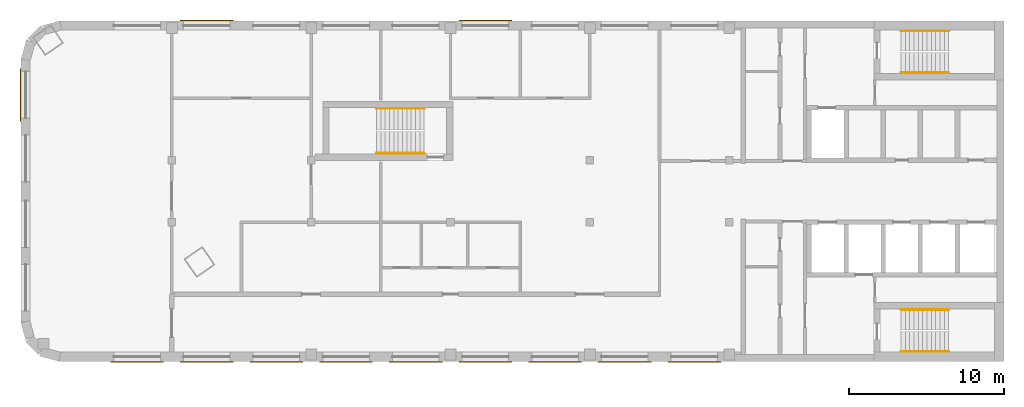
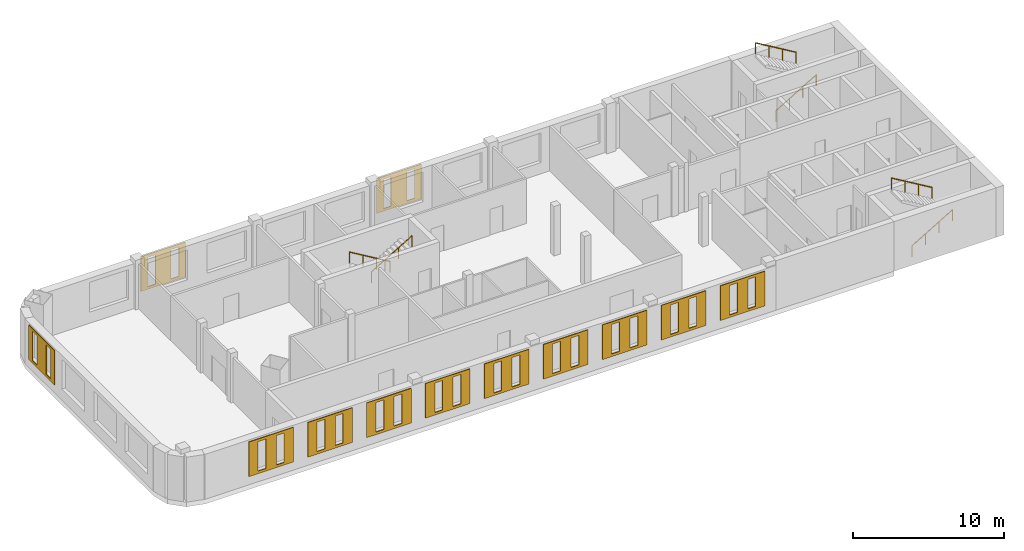
# One storey, part 5 of 5: 12 coverings, 6 railings.
"""IFC4 building model written with IfcOpenShell, lengths in metres."""

from ifc_helpers import new_model, si_unit, direction, frame, origin, origin_2d, place, context, subcontext, project, spatial, polyline, circle, outline, extrude, material, material_profile, profile_set, type_object, element, save


model = new_model("IFC4")

# Units and contexts
model_context = context("Model", 3, precision=1e-05, world=origin(), true_north=direction((0.0, 1.0)))
body_context = subcontext(model_context, "Body", "Model", "MODEL_VIEW")
ifc_project = project(units=[si_unit("LENGTHUNIT", "METRE"), si_unit("AREAUNIT", "SQUARE_METRE"), si_unit("VOLUMEUNIT", "CUBIC_METRE"), si_unit("PLANEANGLEUNIT", "RADIAN"), si_unit("MASSUNIT", "GRAM", prefix="KILO")], contexts=[model_context])

# Site, building, storey
site_placement = place(None, origin())
site = spatial("IfcSite", under=ifc_project, at=site_placement, CompositionType="ELEMENT")
building_placement = place(site_placement, origin())
building = spatial("IfcBuilding", under=site, at=building_placement, Name="Skarvind Civic Tower", CompositionType="ELEMENT")
storey_placement = place(building_placement, frame((0.0, 0.0, 245.5)))
storey = spatial("IfcBuildingStorey", under=building, at=storey_placement, Name="L58", CompositionType="ELEMENT", Elevation=245.5)

# Railings
ifc_material_1 = material(Name="Painted steel handrail", Category="steel")
railing_type = type_object("IfcRailingType", Name="Stair handrail 900", PredefinedType="HANDRAIL", material=ifc_material_1)
railing_1_placement = place(storey_placement, frame((101.35009765625, 135.64990234375, 0.166748046875)))
element("IfcRailing", 1, at=railing_1_placement, inside=storey, type_object=railing_type, Name="Stair handrail", PredefinedType="HANDRAIL", context=body_context, shape_type="SweptSolid", body=[
    extrude(circle(Radius=0.02392578125, at=origin_2d()), frame((0.0, 0.0, 0.8759765625), z_axis=(0.859290745958, 0.0, 0.51148745235), x_axis=(0.0, 1.0, 0.0)), (0.0, 0.0, 1.0), 3.584228515625),
    extrude(circle(Radius=0.02099609375, at=origin_2d()), origin(), (0.0, 0.0, 1.0), 0.851806640625),
    extrude(circle(Radius=0.02099609375, at=origin_2d()), frame((1.026611328125, 0.0, 0.611083984375)), (0.0, 0.0, 1.0), 0.851806640625),
    extrude(circle(Radius=0.02099609375, at=origin_2d()), frame((2.05322265625, 0.0, 1.22216796875)), (0.0, 0.0, 1.0), 0.851806640625),
    extrude(circle(Radius=0.02099609375, at=origin_2d()), frame((3.079833984375, 0.0, 1.833251953125)), (0.0, 0.0, 1.0), 0.851806640625),
])
railing_2_placement = place(storey_placement, frame((104.429931640625, 138.35009765625, 2.166748046875)))
element("IfcRailing", 2, at=railing_2_placement, inside=storey, type_object=railing_type, Name="Stair handrail", PredefinedType="HANDRAIL", context=body_context, shape_type="SweptSolid", body=[
    extrude(circle(Radius=0.02392578125, at=origin_2d()), frame((0.0, 0.0, 0.8759765625), z_axis=(-0.859290745958, 0.0, 0.51148745235), x_axis=(0.0, -1.0, 0.0)), (0.0, 0.0, 1.0), 3.584228515625),
    extrude(circle(Radius=0.02099609375, at=origin_2d()), origin(), (0.0, 0.0, 1.0), 0.851806640625),
    extrude(circle(Radius=0.02099609375, at=origin_2d()), frame((-1.026611328125, 0.0, 0.611083984375)), (0.0, 0.0, 1.0), 0.851806640625),
    extrude(circle(Radius=0.02099609375, at=origin_2d()), frame((-2.05322265625, 0.0, 1.22216796875)), (0.0, 0.0, 1.0), 0.851806640625),
    extrude(circle(Radius=0.02099609375, at=origin_2d()), frame((-3.079833984375, 0.0, 1.833251953125)), (0.0, 0.0, 1.0), 0.851806640625),
])
railing_3_placement = place(storey_placement, frame((101.35009765625, 117.64990234375, 0.166748046875)))
element("IfcRailing", 3, at=railing_3_placement, inside=storey, type_object=railing_type, Name="Stair handrail", PredefinedType="HANDRAIL", context=body_context, shape_type="SweptSolid", body=[
    extrude(circle(Radius=0.02392578125, at=origin_2d()), frame((0.0, 0.0, 0.8759765625), z_axis=(0.859290745958, 0.0, 0.51148745235), x_axis=(0.0, 1.0, 0.0)), (0.0, 0.0, 1.0), 3.584228515625),
    extrude(circle(Radius=0.02099609375, at=origin_2d()), origin(), (0.0, 0.0, 1.0), 0.851806640625),
    extrude(circle(Radius=0.02099609375, at=origin_2d()), frame((1.026611328125, 0.0, 0.611083984375)), (0.0, 0.0, 1.0), 0.851806640625),
    extrude(circle(Radius=0.02099609375, at=origin_2d()), frame((2.05322265625, 0.0, 1.22216796875)), (0.0, 0.0, 1.0), 0.851806640625),
    extrude(circle(Radius=0.02099609375, at=origin_2d()), frame((3.079833984375, 0.0, 1.833251953125)), (0.0, 0.0, 1.0), 0.851806640625),
])
railing_4_placement = place(storey_placement, frame((104.429931640625, 120.35009765625, 2.166748046875)))
element("IfcRailing", 4, at=railing_4_placement, inside=storey, type_object=railing_type, Name="Stair handrail", PredefinedType="HANDRAIL", context=body_context, shape_type="SweptSolid", body=[
    extrude(circle(Radius=0.02392578125, at=origin_2d()), frame((0.0, 0.0, 0.8759765625), z_axis=(-0.859290745958, 0.0, 0.51148745235), x_axis=(0.0, -1.0, 0.0)), (0.0, 0.0, 1.0), 3.584228515625),
    extrude(circle(Radius=0.02099609375, at=origin_2d()), origin(), (0.0, 0.0, 1.0), 0.851806640625),
    extrude(circle(Radius=0.02099609375, at=origin_2d()), frame((-1.026611328125, 0.0, 0.611083984375)), (0.0, 0.0, 1.0), 0.851806640625),
    extrude(circle(Radius=0.02099609375, at=origin_2d()), frame((-2.05322265625, 0.0, 1.22216796875)), (0.0, 0.0, 1.0), 0.851806640625),
    extrude(circle(Radius=0.02099609375, at=origin_2d()), frame((-3.079833984375, 0.0, 1.833251953125)), (0.0, 0.0, 1.0), 0.851806640625),
])
railing_5_placement = place(storey_placement, frame((70.550048828125, 133.35009765625, 0.166748046875)))
element("IfcRailing", 5, at=railing_5_placement, inside=storey, type_object=railing_type, Name="Stair handrail", PredefinedType="HANDRAIL", context=body_context, shape_type="SweptSolid", body=[
    extrude(circle(Radius=0.02392578125, at=origin_2d()), frame((0.0, 0.0, 0.8759765625), z_axis=(-0.859308565015, 0.0, 0.511457515432), x_axis=(0.0, -1.0, 0.0)), (0.0, 0.0, 1.0), 3.58447265625),
    extrude(circle(Radius=0.02099609375, at=origin_2d()), origin(), (0.0, 0.0, 1.0), 0.851806640625),
    extrude(circle(Radius=0.02099609375, at=origin_2d()), frame((-1.026611328125, 0.0, 0.611083984375)), (0.0, 0.0, 1.0), 0.851806640625),
    extrude(circle(Radius=0.02099609375, at=origin_2d()), frame((-2.053466796875, 0.0, 1.22216796875)), (0.0, 0.0, 1.0), 0.851806640625),
    extrude(circle(Radius=0.02099609375, at=origin_2d()), frame((-3.080078125, 0.0, 1.833251953125)), (0.0, 0.0, 1.0), 0.851806640625),
])
railing_6_placement = place(storey_placement, frame((67.469970703125, 130.449951171875, 2.166748046875)))
element("IfcRailing", 6, at=railing_6_placement, inside=storey, type_object=railing_type, Name="Stair handrail", PredefinedType="HANDRAIL", context=body_context, shape_type="SweptSolid", body=[
    extrude(circle(Radius=0.02392578125, at=origin_2d()), frame((0.0, 0.0, 0.8759765625), z_axis=(0.859308565015, 0.0, 0.511457515432), x_axis=(0.0, 1.0, 0.0)), (0.0, 0.0, 1.0), 3.58447265625),
    extrude(circle(Radius=0.02099609375, at=origin_2d()), origin(), (0.0, 0.0, 1.0), 0.851806640625),
    extrude(circle(Radius=0.02099609375, at=origin_2d()), frame((1.026611328125, 0.0, 0.611083984375)), (0.0, 0.0, 1.0), 0.851806640625),
    extrude(circle(Radius=0.02099609375, at=origin_2d()), frame((2.053466796875, 0.0, 1.22216796875)), (0.0, 0.0, 1.0), 0.851806640625),
    extrude(circle(Radius=0.02099609375, at=origin_2d()), frame((3.080078125, 0.0, 1.833251953125)), (0.0, 0.0, 1.0), 0.851806640625),
])

# Coverings
ifc_material_2 = material(Name="Terracotta", Category="masonry")
ifc_material_profile_1 = material_profile(ifc_material_2, outline(polyline([(-1.699951171875, -1.39990234375), (1.699951171875, -1.39990234375), (1.699951171875, 1.39990234375), (-1.699951171875, 1.39990234375), (-1.699951171875, -1.39990234375)]), holes=[polyline([(-1.0, -1.18994140625), (-0.39990234375, -1.18994140625), (-0.39990234375, 1.18994140625), (-1.0, 1.18994140625), (-1.0, -1.18994140625)]), polyline([(0.39990234375, -1.18994140625), (1.0, -1.18994140625), (1.0, 1.18994140625), (0.39990234375, 1.18994140625), (0.39990234375, -1.18994140625)])]), Name="TERRACOTTA SCREEN 3400 x 2800, SLIT PITCH 1400")
ifc_profile_set_1 = profile_set([ifc_material_profile_1], Name="Terracotta")
covering_type_1 = type_object("IfcCoveringType", Name="TERRACOTTA SCREEN 3400 x 2800, SLIT PITCH 1400", PredefinedType="CLADDING", material=ifc_profile_set_1)
for number, where, z_axis, x_axis, name in (
    (7, (88.0, 117.0, 2.10009765625), (0.0, -1.0, 0.0), (1.0, 0.0, 0.0), "TERRACOTTA SCREEN"),
    (8, (83.5, 117.0, 2.10009765625), (0.0, -1.0, 0.0), (1.0, 0.0, 0.0), "TERRACOTTA SCREEN"),
    (9, (79.0, 117.0, 2.10009765625), (0.0, -1.0, 0.0), (1.0, 0.0, 0.0), "TERRACOTTA SCREEN"),
    (10, (74.5, 117.0, 2.10009765625), (0.0, -1.0, 0.0), (1.0, 0.0, 0.0), "TERRACOTTA SCREEN"),
    (11, (70.0, 117.0, 2.10009765625), (0.0, -1.0, 0.0), (1.0, 0.0, 0.0), "TERRACOTTA SCREEN"),
    (12, (65.5, 117.0, 2.10009765625), (0.0, -1.0, 0.0), (1.0, 0.0, 0.0), "TERRACOTTA SCREEN"),
    (13, (61.0, 117.0, 2.10009765625), (0.0, -1.0, 0.0), (1.0, 0.0, 0.0), "TERRACOTTA SCREEN"),
    (14, (56.5, 117.0, 2.10009765625), (0.0, -1.0, 0.0), (1.0, 0.0, 0.0), "TERRACOTTA SCREEN"),
    (15, (52.0, 117.0, 2.10009765625), (0.0, -1.0, 0.0), (1.0, 0.0, 0.0), "TERRACOTTA SCREEN"),
):
    element("IfcCovering", number, at=place(storey_placement, frame(where, z_axis=z_axis, x_axis=x_axis)), inside=storey, type_object=covering_type_1, Name=name, PredefinedType="CLADDING", context=body_context, shape_type="SweptSolid", body=[
        extrude(outline(polyline([(-1.699951171875, -1.39990234375), (1.699951171875, -1.39990234375), (1.699951171875, 1.39990234375), (-1.699951171875, 1.39990234375), (-1.699951171875, -1.39990234375)]), holes=[polyline([(-1.0, -1.18994140625), (-0.39990234375, -1.18994140625), (-0.39990234375, 1.18994140625), (-1.0, 1.18994140625), (-1.0, -1.18994140625)]), polyline([(0.39990234375, -1.18994140625), (1.0, -1.18994140625), (1.0, 1.18994140625), (0.39990234375, 1.18994140625), (0.39990234375, -1.18994140625)])]), origin(), (0.0, 0.0, 1.0), 0.06005859375),
    ])
ifc_material_profile_2 = material_profile(ifc_material_2, outline(polyline([(-1.699951171875, -1.39990234375), (1.699951171875, -1.39990234375), (1.699951171875, 1.39990234375), (-1.699951171875, 1.39990234375), (-1.699951171875, -1.39990234375)]), holes=[polyline([(-1.199951171875, -1.18994140625), (-0.60009765625, -1.18994140625), (-0.60009765625, 1.18994140625), (-1.199951171875, 1.18994140625), (-1.199951171875, -1.18994140625)]), polyline([(0.60009765625, -1.18994140625), (1.199951171875, -1.18994140625), (1.199951171875, 1.18994140625), (0.60009765625, 1.18994140625), (0.60009765625, -1.18994140625)])]), Name="TERRACOTTA SCREEN 3400 x 2800, SLIT PITCH 1800")
ifc_profile_set_2 = profile_set([ifc_material_profile_2], Name="Terracotta")
covering_type_2 = type_object("IfcCoveringType", Name="TERRACOTTA SCREEN 3400 x 2800, SLIT PITCH 1800", PredefinedType="CLADDING", material=ifc_profile_set_2)
for number, where, z_axis, x_axis, name in (
    (16, (56.5, 139.0, 2.10009765625), (0.0, 1.0, 0.0), (-1.0, 0.0, 0.0), "TERRACOTTA SCREEN"),
    (17, (74.5, 139.0, 2.10009765625), (0.0, 1.0, 0.0), (-1.0, 0.0, 0.0), "TERRACOTTA SCREEN"),
    (18, (44.5, 134.22509765625, 2.10009765625), (-1.0, 0.0, 0.0), (0.0, -1.0, 0.0), "TERRACOTTA SCREEN"),
):
    element("IfcCovering", number, at=place(storey_placement, frame(where, z_axis=z_axis, x_axis=x_axis)), inside=storey, type_object=covering_type_2, Name=name, PredefinedType="CLADDING", context=body_context, shape_type="SweptSolid", body=[
        extrude(outline(polyline([(-1.699951171875, -1.39990234375), (1.699951171875, -1.39990234375), (1.699951171875, 1.39990234375), (-1.699951171875, 1.39990234375), (-1.699951171875, -1.39990234375)]), holes=[polyline([(-1.199951171875, -1.18994140625), (-0.60009765625, -1.18994140625), (-0.60009765625, 1.18994140625), (-1.199951171875, 1.18994140625), (-1.199951171875, -1.18994140625)]), polyline([(0.60009765625, -1.18994140625), (1.199951171875, -1.18994140625), (1.199951171875, 1.18994140625), (0.60009765625, 1.18994140625), (0.60009765625, -1.18994140625)])]), origin(), (0.0, 0.0, 1.0), 0.06005859375),
    ])

save(model, "model.ifc")
